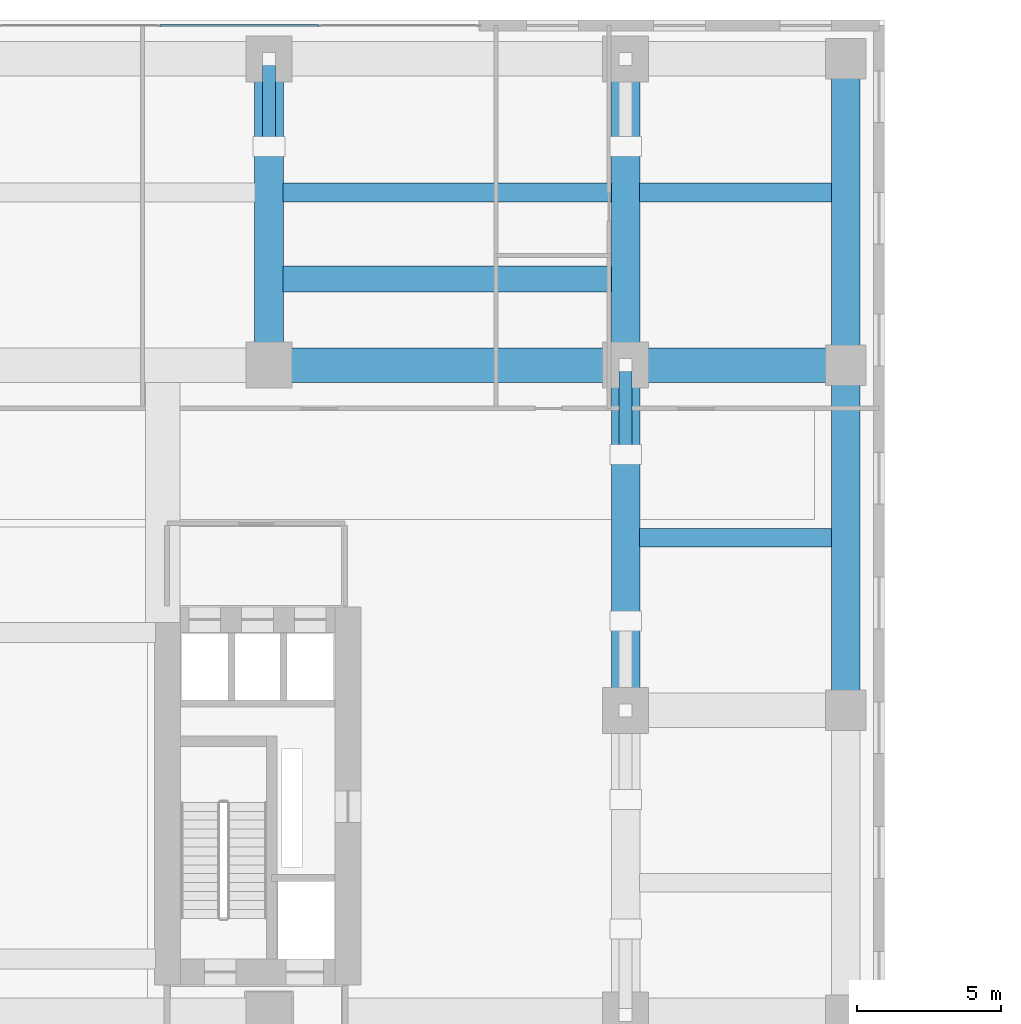
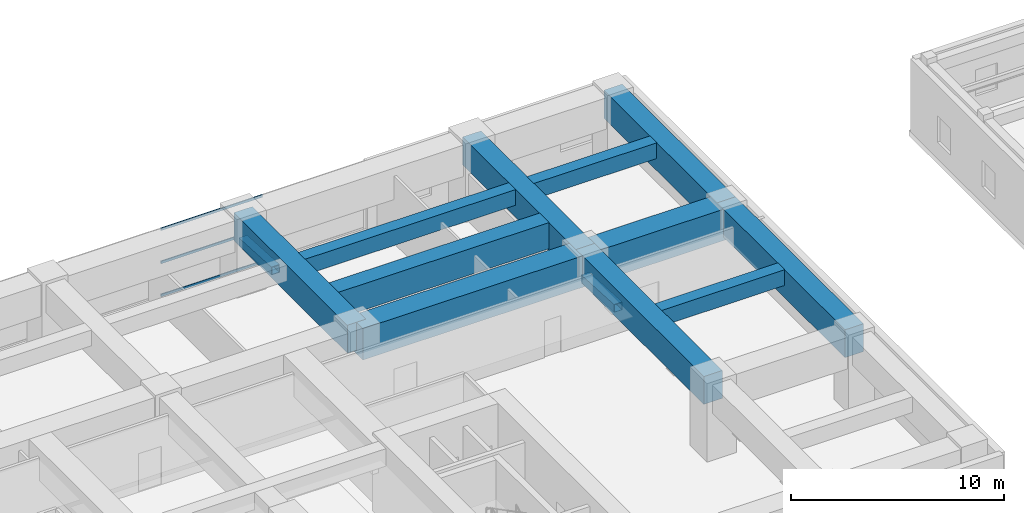
# One storey, part 7 of 33: 11 beams, 5 members, 1 element without a shape of its own.
"""IFC4 building model written with IfcOpenShell, lengths in metres."""

import ifcopenshell
import ifcopenshell.guid

model = None  # the IFC model being written
_history = None  # IfcOwnerHistory: only IFC2X3 demands one
_inside = {}  # id of a spatial element -> (the spatial element, [elements in it])
_under = {}  # id of a project, library or spatial element -> (it, [spatial elements below it])
_declared = {}  # id of a project -> (the project, [libraries it declares])
_typed = {}  # id of a type object -> (the type object, [elements of that type])
_made_of = {}  # id of a material, layer set ... -> (it, [elements and type objects made of it])


def new_model(schema):
    """Start an empty IFC model of exactly this schema.

    Asked for "IFC4X3", IfcOpenShell would pick the latest addendum, in which some entities
    have other attributes; the version numbers below select the first issue.
    IFC2X3 requires an IfcOwnerHistory on every rooted entity: one is made here for all.
    """
    global model, _history
    if schema == "IFC4X3":
        model = ifcopenshell.file(schema_version=(4, 3, 0, 0))
    else:
        model = ifcopenshell.file(schema=schema)
    _inside.clear()
    _under.clear()
    _declared.clear()
    _typed.clear()
    _made_of.clear()
    _history = None
    if model.schema == "IFC2X3":
        org = make("IfcOrganization", Name="unknown")
        user = make(
            "IfcPersonAndOrganization",
            ThePerson=make("IfcPerson", FamilyName="unknown"),
            TheOrganization=org,
        )
        app = make(
            "IfcApplication",
            ApplicationDeveloper=org,
            Version="unknown",
            ApplicationFullName="unknown",
            ApplicationIdentifier="unknown",
        )
        _history = make(
            "IfcOwnerHistory",
            OwningUser=user,
            OwningApplication=app,
            ChangeAction="ADDED",
            CreationDate=0,
        )
    return model


def make(cls, **values):
    """One entity of the class cls with the attributes given. An attribute that is None is left unset."""
    return model.create_entity(
        cls, **{name: value for name, value in values.items() if value is not None}
    )


def rooted(cls, **values):
    """An entity with a GlobalId (a new one), such as an element, a storey or a relation."""
    return make(cls, GlobalId=ifcopenshell.guid.new(), OwnerHistory=_history, **values)


def si_unit(unit_type, name, prefix=None):
    """IfcSIUnit, for example si_unit("LENGTHUNIT", "METRE", prefix="MILLI")."""
    return make("IfcSIUnit", UnitType=unit_type, Prefix=prefix, Name=name)


def assignment(units):
    """IfcUnitAssignment: the units of a project."""
    return None if units is None else make("IfcUnitAssignment", Units=units)


def point(xyz):
    """IfcCartesianPoint."""
    return None if xyz is None else make("IfcCartesianPoint", Coordinates=xyz)


def direction(xyz):
    """IfcDirection."""
    return None if xyz is None else make("IfcDirection", DirectionRatios=xyz)


def frame(location, z_axis=None, x_axis=None):
    """IfcAxis2Placement3D, a coordinate frame: its origin and axes. An axis left out is left unset."""
    return make(
        "IfcAxis2Placement3D",
        Location=point(location),
        Axis=direction(z_axis),
        RefDirection=direction(x_axis),
    )


def frame_2d(location, x_axis=None):
    """IfcAxis2Placement2D, a coordinate frame in the plane: its origin and x axis."""
    return make(
        "IfcAxis2Placement2D", Location=point(location), RefDirection=direction(x_axis)
    )


def origin():
    """The frame at (0, 0, 0) with its axes left unset."""
    return frame((0.0, 0.0, 0.0))


def origin_2d():
    """The frame at (0, 0) in the plane with its x axis left unset."""
    return frame_2d((0.0, 0.0))


def place(relative_to, where):
    """IfcLocalPlacement: puts the frame where relative to a parent placement (None: the world)."""
    return make(
        "IfcLocalPlacement", PlacementRelTo=relative_to, RelativePlacement=where
    )


def context(
    kind, dimensions, precision=None, world=None, true_north=None, identifier=None
):
    """IfcGeometricRepresentationContext, for example the 3D "Model" context."""
    return make(
        "IfcGeometricRepresentationContext",
        ContextIdentifier=identifier,
        ContextType=kind,
        CoordinateSpaceDimension=dimensions,
        Precision=precision,
        WorldCoordinateSystem=world,
        TrueNorth=true_north,
    )


def subcontext(parent, identifier, kind, view, scale=None):
    """IfcGeometricRepresentationSubContext, for example "Body" below "Model"."""
    return make(
        "IfcGeometricRepresentationSubContext",
        ContextIdentifier=identifier,
        ContextType=kind,
        ParentContext=parent,
        TargetScale=scale,
        TargetView=view,
    )


def project(units=None, contexts=None):
    """IfcProject with its units and contexts."""
    return rooted(
        "IfcProject",
        Name="project",
        RepresentationContexts=contexts,
        UnitsInContext=assignment(units),
    )


def spatial(cls, under=None, at=None, **own):
    """A site, building, storey or space (cls), placed at a placement, below another one or the project."""
    s = rooted(cls, ObjectPlacement=at, **own)
    if under is not None:
        _under.setdefault(under.id(), (under, []))[1].append(s)
    return s


def profile(cls, at=None, kind="AREA", **sizes):
    """A parametric profile (cls). Its sizes go by their IFC names, for example OverallWidth=200.0."""
    return make(cls, ProfileType=kind, Position=at, **sizes)


def rectangle(**sizes):
    """IfcRectangleProfileDef."""
    return profile("IfcRectangleProfileDef", **sizes)


def hollow_rectangle(**sizes):
    """IfcRectangleHollowProfileDef."""
    return profile("IfcRectangleHollowProfileDef", **sizes)


def extrude(swept, where, along, depth):
    """IfcExtrudedAreaSolid: the profile swept, set in the frame where, extruded along a direction by depth."""
    return make(
        "IfcExtrudedAreaSolid",
        SweptArea=swept,
        Position=where,
        ExtrudedDirection=direction(along),
        Depth=depth,
    )


def shape(context_of_items, identifier, shape_type, items):
    """IfcShapeRepresentation: the items that make up one representation, for example the "Body"."""
    return make(
        "IfcShapeRepresentation",
        ContextOfItems=context_of_items,
        RepresentationIdentifier=identifier,
        RepresentationType=shape_type,
        Items=items,
    )


def source(mapping_origin, context_of_items, identifier, shape_type, items):
    """IfcRepresentationMap: a shape defined once, which mapped items show again and again."""
    return make(
        "IfcRepresentationMap",
        MappingOrigin=mapping_origin,
        MappedRepresentation=shape(context_of_items, identifier, shape_type, items),
    )


def transform(
    local_origin,
    x_axis=None,
    y_axis=None,
    z_axis=None,
    scale=None,
    scale2=None,
    scale3=None,
    uniform=True,
):
    """IfcCartesianTransformationOperator3D, or its non-uniform kind. x_axis, y_axis, z_axis: its Axis1, 2, 3."""
    if uniform:
        return make(
            "IfcCartesianTransformationOperator3D",
            Axis1=direction(x_axis),
            Axis2=direction(y_axis),
            LocalOrigin=point(local_origin),
            Scale=scale,
            Axis3=direction(z_axis),
        )
    return make(
        "IfcCartesianTransformationOperator3DnonUniform",
        Axis1=direction(x_axis),
        Axis2=direction(y_axis),
        LocalOrigin=point(local_origin),
        Scale=scale,
        Axis3=direction(z_axis),
        Scale2=scale2,
        Scale3=scale3,
    )


def mapped(mapping_source, mapping_target):
    """IfcMappedItem: shows the shape of a source again, moved by a transform."""
    return make(
        "IfcMappedItem", MappingSource=mapping_source, MappingTarget=mapping_target
    )


def material(Name=None, Category=None):
    """IfcMaterial."""
    return make("IfcMaterial", Name=Name, Category=Category)


def layer(
    of_material, thickness, ventilated=None, Name=None, Category=None, Priority=None
):
    """IfcMaterialLayer: one layer of a wall or slab, of a material (None: an air gap)."""
    return make(
        "IfcMaterialLayer",
        Material=of_material,
        LayerThickness=thickness,
        IsVentilated=ventilated,
        Name=Name,
        Category=Category,
        Priority=Priority,
    )


def layer_set(layers, Name=None):
    """IfcMaterialLayerSet."""
    return make("IfcMaterialLayerSet", MaterialLayers=layers, LayerSetName=Name)


def material_profile(
    of_material, cross_section, Name=None, Category=None, Priority=None
):
    """IfcMaterialProfile: a cross section and its material."""
    return make(
        "IfcMaterialProfile",
        Name=Name,
        Material=of_material,
        Profile=cross_section,
        Priority=Priority,
        Category=Category,
    )


def profile_set(profiles, Name=None, composite=None):
    """IfcMaterialProfileSet."""
    return make(
        "IfcMaterialProfileSet",
        Name=Name,
        MaterialProfiles=profiles,
        CompositeProfile=composite,
    )


def made_of(thing, what):
    """Note that an element or type object is made of a material, layer set ...; save() writes the relation."""
    if what is not None:
        _made_of.setdefault(what.id(), (what, []))[1].append(thing)
    return thing


def type_object(cls, material=None, **own):
    """A type object (cls), such as IfcWallType, which elements share."""
    return made_of(rooted(cls, **own), material)


def element(
    cls,
    number,
    at=None,
    inside=None,
    cuts=None,
    type_object=None,
    material=None,
    context=None,
    identifier="Body",
    shape_type=None,
    held_by="IfcProductDefinitionShape",
    body=None,
    shapes=None,
    **own,
):
    """One element of the class cls, such as IfcWall. Its Tag is "e" and its number.

    at: its placement. inside: the storey or other place that contains it. cuts: it is an
    opening in that element (IfcRelVoidsElement). A single representation is given by context,
    identifier, shape_type and body (its items); several are given by shapes. held_by: the class
    of the entity that holds the representations. save() writes the other relations.
    """
    e = rooted(cls, Tag="e%d" % number, ObjectPlacement=at, **own)
    if body is not None:
        shapes = [shape(context, identifier, shape_type, body)]
    if shapes is not None:
        e.Representation = make(held_by, Representations=shapes)
    if inside is not None:
        _inside.setdefault(inside.id(), (inside, []))[1].append(e)
    if cuts is not None:
        rooted(
            "IfcRelVoidsElement", RelatingBuildingElement=cuts, RelatedOpeningElement=e
        )
    if type_object is not None:
        _typed.setdefault(type_object.id(), (type_object, []))[1].append(e)
    return made_of(e, material)


def aggregate(whole, parts):
    """IfcRelAggregates: a whole, such as a stair, and the parts it consists of."""
    return rooted("IfcRelAggregates", RelatingObject=whole, RelatedObjects=parts)


def save(model, path):
    """Write the relations noted so far, then the file.

    IfcRelAggregates (storeys below a building ...), IfcRelContainedInSpatialStructure (elements
    in a storey), IfcRelDefinesByType, IfcRelAssociatesMaterial and IfcRelDeclares: one each for
    every whole, place, type object, material and project.
    """
    for whole, parts in _under.values():
        aggregate(whole, parts)
    for where, things in _inside.values():
        rooted(
            "IfcRelContainedInSpatialStructure",
            RelatedElements=things,
            RelatingStructure=where,
        )
    for kind, things in _typed.values():
        rooted("IfcRelDefinesByType", RelatedObjects=things, RelatingType=kind)
    for what, things in _made_of.values():
        rooted("IfcRelAssociatesMaterial", RelatedObjects=things, RelatingMaterial=what)
    for by, libraries in _declared.values():
        rooted("IfcRelDeclares", RelatingContext=by, RelatedDefinitions=libraries)
    model.write(path)


model = new_model("IFC4")

# Units and contexts
model_context = context("Model", 3, precision=1e-05, world=origin(), true_north=direction((0.0, 1.0)))
body_context = subcontext(model_context, "Body", "Model", "MODEL_VIEW")
ifc_project = project(units=[si_unit("LENGTHUNIT", "METRE"), si_unit("AREAUNIT", "SQUARE_METRE"), si_unit("VOLUMEUNIT", "CUBIC_METRE"), si_unit("PLANEANGLEUNIT", "RADIAN"), si_unit("MASSUNIT", "GRAM", prefix="KILO")], contexts=[model_context])

# Site, building, storey
site_placement = place(None, origin())
site = spatial("IfcSite", under=ifc_project, at=site_placement, CompositionType="ELEMENT")
building_placement = place(site_placement, origin())
building = spatial("IfcBuilding", under=site, at=building_placement, Name="Khoralis Quay Care Tower", CompositionType="ELEMENT")
storey_placement = place(building_placement, frame((0.0, 0.0, 18.0)))
storey = spatial("IfcBuildingStorey", under=building, at=storey_placement, Name="L04", CompositionType="ELEMENT", Elevation=18.0)

# Beams
ifc_material_1 = material(Name="Concrete C80/95", Category="concrete")
ifc_material_profile_1 = material_profile(ifc_material_1, rectangle(XDim=1.199951171875, YDim=1.800048828125, at=origin_2d()), Name="Concrete C80/95")
ifc_profile_set_1 = profile_set([ifc_material_profile_1], Name="Concrete C80/95")
beam_type_1 = type_object("IfcBeamType", Name="TG-RC1200X1800", PredefinedType="BEAM", material=ifc_profile_set_1)
shared_shape_1 = source(origin(), body_context, "Body", "SweptSolid", [
    extrude(rectangle(XDim=1.199951171875, YDim=1.800048828125, at=origin_2d()), origin(), (0.0, 0.0, 1.0), 12.39990234375),
])
beam_1_placement = place(storey_placement, frame((34.60009765625, 36.0, 3.419921875), z_axis=(1.0, 0.0, 0.0), x_axis=(0.0, 1.0, 0.0)))
element("IfcBeam", 1, at=beam_1_placement, inside=storey, type_object=beam_type_1, Name="L04 Transfer girder BM-PODX-L04-17", PredefinedType="BEAM", context=body_context, shape_type="MappedRepresentation", body=[
    mapped(shared_shape_1, transform((0.0, 0.0, 0.0), scale=1.0)),
])
shared_shape_2 = source(origin(), body_context, "Body", "SweptSolid", [
    extrude(rectangle(XDim=1.199951171875, YDim=1.800048828125, at=origin_2d()), origin(), (0.0, 0.0, 1.0), 7.64990234375),
])
beam_2_placement = place(storey_placement, frame((47.0, 36.0, 3.419921875), z_axis=(1.0, 0.0, 0.0), x_axis=(0.0, 1.0, 0.0)))
element("IfcBeam", 2, at=beam_2_placement, inside=storey, type_object=beam_type_1, Name="L04 Transfer girder BM-PODX-L04-18", PredefinedType="BEAM", context=body_context, shape_type="MappedRepresentation", body=[
    mapped(shared_shape_2, transform((0.0, 0.0, 0.0), scale=1.0)),
])
ifc_material_profile_2 = material_profile(ifc_material_1, rectangle(XDim=1.0, YDim=1.60009765625, at=origin_2d()), Name="Concrete C80/95")
ifc_profile_set_2 = profile_set([ifc_material_profile_2], Name="Concrete C80/95")
beam_type_2 = type_object("IfcBeamType", Name="TG-RC1000X1600", PredefinedType="BEAM", material=ifc_profile_set_2)
shared_shape_3 = source(origin(), body_context, "Body", "SweptSolid", [
    extrude(rectangle(XDim=1.0, YDim=1.60009765625, at=origin_2d()), origin(), (0.0, 0.0, 1.0), 12.0),
])
for number, where, z_axis, x_axis, name in (
    (3, (47.0, 24.0, 3.52001953125), (0.0, 1.0, 0.0), (-1.0, 0.0, 0.0), "L04 Transfer girder BM-PODY-L04-42"),
    (4, (54.64990234375, 24.0, 3.52001953125), (0.0, 1.0, 0.0), (-1.0, 0.0, 0.0), "L04 Transfer girder BM-PODY-L04-45"),
):
    element("IfcBeam", number, at=place(storey_placement, frame(where, z_axis=z_axis, x_axis=x_axis)), inside=storey, type_object=beam_type_2, Name=name, PredefinedType="BEAM", context=body_context, shape_type="MappedRepresentation", body=[
        mapped(shared_shape_3, transform((0.0, 0.0, 0.0), scale=1.0)),
    ])
shared_shape_4 = source(origin(), body_context, "Body", "SweptSolid", [
    extrude(rectangle(XDim=1.0, YDim=1.60009765625, at=origin_2d()), origin(), (0.0, 0.0, 1.0), 10.64990234375),
])
for number, where, z_axis, x_axis, name in (
    (5, (34.60009765625, 36.0, 3.52001953125), (0.0, 1.0, 0.0), (-1.0, 0.0, 0.0), "L04 Transfer girder BM-PODY-L04-39"),
    (6, (47.0, 36.0, 3.52001953125), (0.0, 1.0, 0.0), (-1.0, 0.0, 0.0), "L04 Transfer girder BM-PODY-L04-43"),
    (7, (54.64990234375, 36.0, 3.52001953125), (0.0, 1.0, 0.0), (-1.0, 0.0, 0.0), "L04 Transfer girder BM-PODY-L04-46"),
):
    element("IfcBeam", number, at=place(storey_placement, frame(where, z_axis=z_axis, x_axis=x_axis)), inside=storey, type_object=beam_type_2, Name=name, PredefinedType="BEAM", context=body_context, shape_type="MappedRepresentation", body=[
        mapped(shared_shape_4, transform((0.0, 0.0, 0.0), scale=1.0)),
    ])
ifc_material_2 = material(Name="Concrete C50/60", Category="concrete")
ifc_material_profile_3 = material_profile(ifc_material_2, rectangle(XDim=0.64990234375, YDim=0.89990234375, at=origin_2d()), Name="Concrete C50/60")
ifc_profile_set_3 = profile_set([ifc_material_profile_3], Name="Concrete C50/60")
beam_type_3 = type_object("IfcBeamType", Name="TB-RC650X900", PredefinedType="T_BEAM", material=ifc_profile_set_3)
shared_shape_5 = source(origin(), body_context, "Body", "SweptSolid", [
    extrude(rectangle(XDim=0.64990234375, YDim=0.89990234375, at=origin_2d()), origin(), (0.0, 0.0, 1.0), 11.424072265625),
])
beam_3_placement = place(storey_placement, frame((35.087890625, 42.0, 3.8701171875), z_axis=(1.0, 0.0, 0.0), x_axis=(0.0, 1.0, 0.0)))
element("IfcBeam", 8, at=beam_3_placement, inside=storey, type_object=beam_type_3, Name="BM-PODJ-L04-59", PredefinedType="T_BEAM", context=body_context, shape_type="MappedRepresentation", body=[
    mapped(shared_shape_5, transform((0.0, 0.0, 0.0), scale=1.0)),
])
shared_shape_6 = source(origin(), body_context, "Body", "SweptSolid", [
    extrude(rectangle(XDim=0.64990234375, YDim=0.89990234375, at=origin_2d()), origin(), (0.0, 0.0, 1.0), 6.674072265625),
])
for number, where, z_axis, x_axis, name in (
    (9, (47.488037109375, 30.0, 3.8701171875), (1.0, 0.0, 0.0), (0.0, 1.0, 0.0), "BM-PODJ-L04-55"),
    (10, (47.488037109375, 42.0, 3.8701171875), (1.0, 0.0, 0.0), (0.0, 1.0, 0.0), "BM-PODJ-L04-60"),
):
    element("IfcBeam", number, at=place(storey_placement, frame(where, z_axis=z_axis, x_axis=x_axis)), inside=storey, type_object=beam_type_3, Name=name, PredefinedType="T_BEAM", context=body_context, shape_type="MappedRepresentation", body=[
        mapped(shared_shape_6, transform((0.0, 0.0, 0.0), scale=1.0)),
    ])
ifc_material_3 = material(Name="Concrete C65/80", Category="concrete")
ifc_material_profile_4 = material_profile(ifc_material_3, rectangle(XDim=0.89990234375, YDim=1.5, at=origin_2d()), Name="Concrete C65/80")
ifc_profile_set_4 = profile_set([ifc_material_profile_4], Name="Concrete C65/80")
beam_type_4 = type_object("IfcBeamType", Name="TG-RC900X1500", PredefinedType="BEAM", material=ifc_profile_set_4)
shared_shape_7 = source(origin(), body_context, "Body", "SweptSolid", [
    extrude(rectangle(XDim=0.89990234375, YDim=1.5, at=origin_2d()), origin(), (0.0, 0.0, 1.0), 11.424072265625),
])
beam_4_placement = place(storey_placement, frame((35.087890625, 39.0, 3.570068359375), z_axis=(1.0, 0.0, 0.0), x_axis=(0.0, 1.0, 0.0)))
element("IfcBeam", 11, at=beam_4_placement, inside=storey, type_object=beam_type_4, Name="L04 Podium East Collector Girder", PredefinedType="BEAM", context=body_context, shape_type="MappedRepresentation", body=[
    mapped(shared_shape_7, transform((0.0, 0.0, 0.0), scale=1.0)),
])

# Members
ifc_material_4 = material(Name="Steel S460", Category="steel")
ifc_material_profile_5 = material_profile(ifc_material_4, hollow_rectangle(XDim=0.449951171875, YDim=0.449951171875, WallThickness=0.02490234375, at=origin_2d()), Name="Steel S460")
ifc_profile_set_5 = profile_set([ifc_material_profile_5], Name="Steel S460")
member_type_1 = type_object("IfcMemberType", Name="BR-RHS450X450X25", PredefinedType="BRACE", material=ifc_profile_set_5)
shared_shape_8 = source(origin(), body_context, "Body", "SweptSolid", [
    extrude(hollow_rectangle(XDim=0.449951171875, YDim=0.449951171875, WallThickness=0.02490234375, at=origin_2d()), origin(), (0.0, 0.0, 1.0), 3.054443359375),
])
member_1_placement = place(storey_placement, frame((34.60009765625, 46.64990234375, 2.550048828125), z_axis=(0.0, -0.998451487005, 0.055629381601), x_axis=(1.0, 0.0, 0.0)))
element("IfcMember", 12, at=member_1_placement, inside=storey, type_object=member_type_1, Name="Podium Transfer Truss Brace 06", PredefinedType="BRACE", context=body_context, shape_type="MappedRepresentation", body=[
    mapped(shared_shape_8, transform((0.0, 0.0, 0.0), scale=1.0)),
])
shared_shape_9 = source(origin(), body_context, "Body", "SweptSolid", [
    extrude(hollow_rectangle(XDim=0.449951171875, YDim=0.449951171875, WallThickness=0.02490234375, at=origin_2d()), origin(), (0.0, 0.0, 1.0), 3.104736328125),
])
member_2_placement = place(storey_placement, frame((47.0, 36.0, 2.550048828125), z_axis=(0.0, -0.998501210612, 0.054729630067), x_axis=(1.0, 0.0, 0.0)))
element("IfcMember", 13, at=member_2_placement, inside=storey, type_object=member_type_1, Name="Podium Transfer Truss Brace 11", PredefinedType="BRACE", context=body_context, shape_type="MappedRepresentation", body=[
    mapped(shared_shape_9, transform((0.0, 0.0, 0.0), scale=1.0)),
])

# Curtain wall, members
ifc_material_5 = material(Name="Pale anodised aluminium", Category="aluminium")
ifc_layer = layer(ifc_material_5, 0.179931640625)
ifc_layer_set = layer_set([ifc_layer], Name="Pale anodised aluminium")
curtain_wall_type = type_object("IfcCurtainWallType", Name="CW-SYS-Z1", PredefinedType="NOTDEFINED", material=ifc_layer_set)
curtain_wall_placement = place(storey_placement, origin())
curtain_wall = element("IfcCurtainWall", 14, at=curtain_wall_placement, inside=storey, type_object=curtain_wall_type, Name="L04 Unitised Curtain Wall CW-POD-L04-E4", PredefinedType="NOTDEFINED")
ifc_material_profile_6 = material_profile(ifc_material_5, hollow_rectangle(XDim=0.06005859375, YDim=0.139892578125, WallThickness=0.00390625, at=origin_2d()), Name="Pale anodised aluminium")
ifc_profile_set_6 = profile_set([ifc_material_profile_6], Name="Pale anodised aluminium")
member_type_2 = type_object("IfcMemberType", Name="CW-TRN-140", PredefinedType="USERDEFINED", material=ifc_profile_set_6)
shared_shape_10 = source(origin(), body_context, "Body", "SweptSolid", [
    extrude(hollow_rectangle(XDim=0.06005859375, YDim=0.139892578125, WallThickness=0.00390625, at=origin_2d()), origin(), (0.0, 0.0, 1.0), 5.501953125),
])
member_3_placement = place(storey_placement, frame((36.31298828125, 47.81005859375, 0.030029296875), z_axis=(-1.0, 0.0, 0.0), x_axis=(0.0, -1.0, 0.0)))
member_3 = element("IfcMember", 15, at=member_3_placement, type_object=member_type_2, Name="CW1 transom 2.1", ObjectType="TRANSOM", PredefinedType="USERDEFINED", context=body_context, shape_type="MappedRepresentation", body=[
    mapped(shared_shape_10, transform((0.0, 0.0, 0.0), scale=1.0)),
])
member_4_placement = place(storey_placement, frame((36.31298828125, 47.81005859375, 1.925048828125), z_axis=(-1.0, 0.0, 0.0), x_axis=(0.0, -1.0, 0.0)))
member_4 = element("IfcMember", 16, at=member_4_placement, type_object=member_type_2, Name="CW1 transom 2.2", ObjectType="TRANSOM", PredefinedType="USERDEFINED", context=body_context, shape_type="MappedRepresentation", body=[
    mapped(shared_shape_10, transform((0.0, 0.0, 0.0), scale=1.0)),
])
member_5_placement = place(storey_placement, frame((36.31298828125, 47.81005859375, 3.820068359375), z_axis=(-1.0, 0.0, 0.0), x_axis=(0.0, -1.0, 0.0)))
member_5 = element("IfcMember", 17, at=member_5_placement, type_object=member_type_2, Name="CW1 transom 2.3", ObjectType="TRANSOM", PredefinedType="USERDEFINED", context=body_context, shape_type="MappedRepresentation", body=[
    mapped(shared_shape_10, transform((0.0, 0.0, 0.0), scale=1.0)),
])
aggregate(curtain_wall, [member_3, member_4, member_5])

save(model, "model.ifc")
